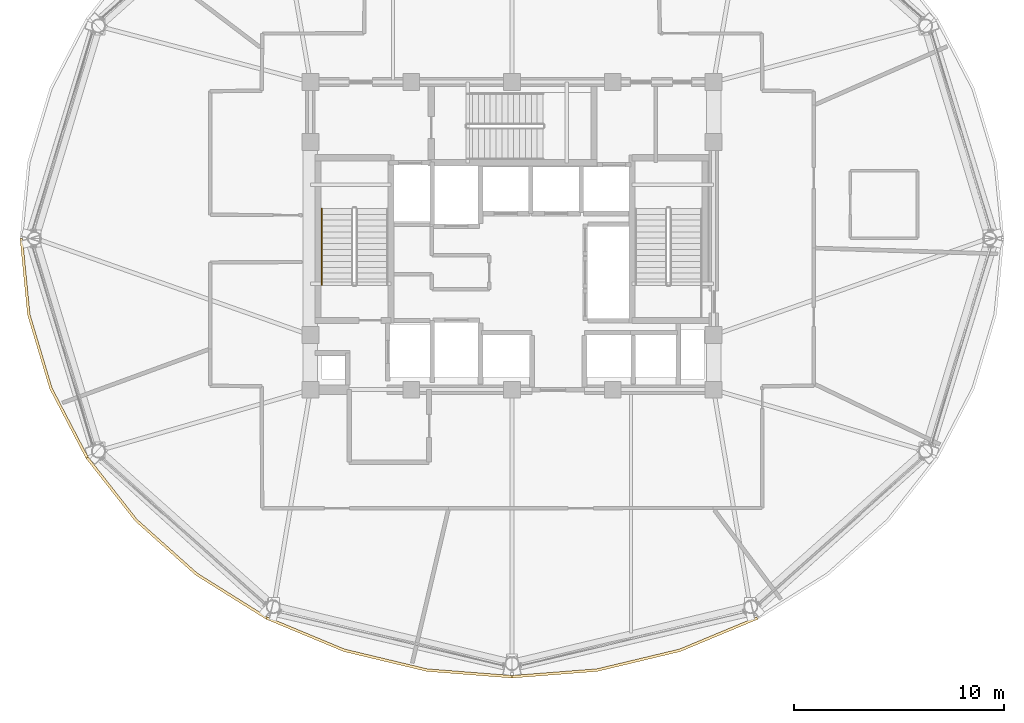
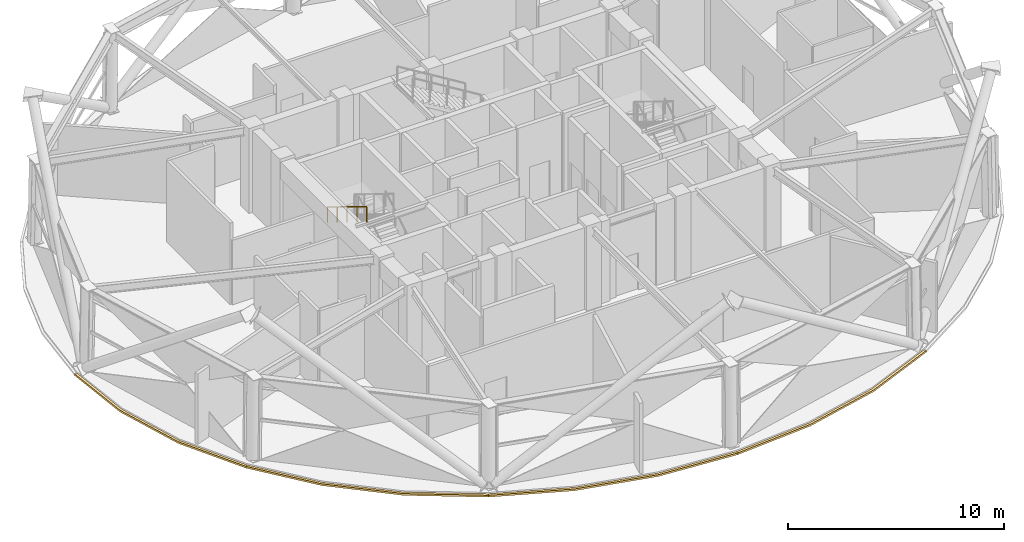
# One storey, part 13 of 16: 4 coverings, 1 railing.
"""IFC4 building model written with IfcOpenShell, lengths in metres."""

import ifcopenshell
import ifcopenshell.guid

model = None  # the IFC model being written
_history = None  # IfcOwnerHistory: only IFC2X3 demands one
_inside = {}  # id of a spatial element -> (the spatial element, [elements in it])
_under = {}  # id of a project, library or spatial element -> (it, [spatial elements below it])
_declared = {}  # id of a project -> (the project, [libraries it declares])
_typed = {}  # id of a type object -> (the type object, [elements of that type])
_made_of = {}  # id of a material, layer set ... -> (it, [elements and type objects made of it])


def new_model(schema):
    """Start an empty IFC model of exactly this schema.

    Asked for "IFC4X3", IfcOpenShell would pick the latest addendum, in which some entities
    have other attributes; the version numbers below select the first issue.
    IFC2X3 requires an IfcOwnerHistory on every rooted entity: one is made here for all.
    """
    global model, _history
    if schema == "IFC4X3":
        model = ifcopenshell.file(schema_version=(4, 3, 0, 0))
    else:
        model = ifcopenshell.file(schema=schema)
    _inside.clear()
    _under.clear()
    _declared.clear()
    _typed.clear()
    _made_of.clear()
    _history = None
    if model.schema == "IFC2X3":
        org = make("IfcOrganization", Name="unknown")
        user = make(
            "IfcPersonAndOrganization",
            ThePerson=make("IfcPerson", FamilyName="unknown"),
            TheOrganization=org,
        )
        app = make(
            "IfcApplication",
            ApplicationDeveloper=org,
            Version="unknown",
            ApplicationFullName="unknown",
            ApplicationIdentifier="unknown",
        )
        _history = make(
            "IfcOwnerHistory",
            OwningUser=user,
            OwningApplication=app,
            ChangeAction="ADDED",
            CreationDate=0,
        )
    return model


def make(cls, **values):
    """One entity of the class cls with the attributes given. An attribute that is None is left unset."""
    return model.create_entity(
        cls, **{name: value for name, value in values.items() if value is not None}
    )


def rooted(cls, **values):
    """An entity with a GlobalId (a new one), such as an element, a storey or a relation."""
    return make(cls, GlobalId=ifcopenshell.guid.new(), OwnerHistory=_history, **values)


def si_unit(unit_type, name, prefix=None):
    """IfcSIUnit, for example si_unit("LENGTHUNIT", "METRE", prefix="MILLI")."""
    return make("IfcSIUnit", UnitType=unit_type, Prefix=prefix, Name=name)


def assignment(units):
    """IfcUnitAssignment: the units of a project."""
    return None if units is None else make("IfcUnitAssignment", Units=units)


def point(xyz):
    """IfcCartesianPoint."""
    return None if xyz is None else make("IfcCartesianPoint", Coordinates=xyz)


def direction(xyz):
    """IfcDirection."""
    return None if xyz is None else make("IfcDirection", DirectionRatios=xyz)


def frame(location, z_axis=None, x_axis=None):
    """IfcAxis2Placement3D, a coordinate frame: its origin and axes. An axis left out is left unset."""
    return make(
        "IfcAxis2Placement3D",
        Location=point(location),
        Axis=direction(z_axis),
        RefDirection=direction(x_axis),
    )


def frame_2d(location, x_axis=None):
    """IfcAxis2Placement2D, a coordinate frame in the plane: its origin and x axis."""
    return make(
        "IfcAxis2Placement2D", Location=point(location), RefDirection=direction(x_axis)
    )


def origin():
    """The frame at (0, 0, 0) with its axes left unset."""
    return frame((0.0, 0.0, 0.0))


def origin_2d():
    """The frame at (0, 0) in the plane with its x axis left unset."""
    return frame_2d((0.0, 0.0))


def place(relative_to, where):
    """IfcLocalPlacement: puts the frame where relative to a parent placement (None: the world)."""
    return make(
        "IfcLocalPlacement", PlacementRelTo=relative_to, RelativePlacement=where
    )


def context(
    kind, dimensions, precision=None, world=None, true_north=None, identifier=None
):
    """IfcGeometricRepresentationContext, for example the 3D "Model" context."""
    return make(
        "IfcGeometricRepresentationContext",
        ContextIdentifier=identifier,
        ContextType=kind,
        CoordinateSpaceDimension=dimensions,
        Precision=precision,
        WorldCoordinateSystem=world,
        TrueNorth=true_north,
    )


def subcontext(parent, identifier, kind, view, scale=None):
    """IfcGeometricRepresentationSubContext, for example "Body" below "Model"."""
    return make(
        "IfcGeometricRepresentationSubContext",
        ContextIdentifier=identifier,
        ContextType=kind,
        ParentContext=parent,
        TargetScale=scale,
        TargetView=view,
    )


def project(units=None, contexts=None):
    """IfcProject with its units and contexts."""
    return rooted(
        "IfcProject",
        Name="project",
        RepresentationContexts=contexts,
        UnitsInContext=assignment(units),
    )


def spatial(cls, under=None, at=None, **own):
    """A site, building, storey or space (cls), placed at a placement, below another one or the project."""
    s = rooted(cls, ObjectPlacement=at, **own)
    if under is not None:
        _under.setdefault(under.id(), (under, []))[1].append(s)
    return s


def polyline(points):
    """IfcPolyline through the points."""
    return make("IfcPolyline", Points=[point(p) for p in points])


def profile(cls, at=None, kind="AREA", **sizes):
    """A parametric profile (cls). Its sizes go by their IFC names, for example OverallWidth=200.0."""
    return make(cls, ProfileType=kind, Position=at, **sizes)


def rectangle(**sizes):
    """IfcRectangleProfileDef."""
    return profile("IfcRectangleProfileDef", **sizes)


def outline(outer, holes=None, kind="AREA"):
    """IfcArbitraryClosedProfileDef: a profile drawn as a closed curve; with holes, ...WithVoids."""
    if holes is None:
        return make("IfcArbitraryClosedProfileDef", ProfileType=kind, OuterCurve=outer)
    return make(
        "IfcArbitraryProfileDefWithVoids",
        ProfileType=kind,
        OuterCurve=outer,
        InnerCurves=holes,
    )


def extrude(swept, where, along, depth):
    """IfcExtrudedAreaSolid: the profile swept, set in the frame where, extruded along a direction by depth."""
    return make(
        "IfcExtrudedAreaSolid",
        SweptArea=swept,
        Position=where,
        ExtrudedDirection=direction(along),
        Depth=depth,
    )


def shape(context_of_items, identifier, shape_type, items):
    """IfcShapeRepresentation: the items that make up one representation, for example the "Body"."""
    return make(
        "IfcShapeRepresentation",
        ContextOfItems=context_of_items,
        RepresentationIdentifier=identifier,
        RepresentationType=shape_type,
        Items=items,
    )


def material(Name=None, Category=None):
    """IfcMaterial."""
    return make("IfcMaterial", Name=Name, Category=Category)


def layer(
    of_material, thickness, ventilated=None, Name=None, Category=None, Priority=None
):
    """IfcMaterialLayer: one layer of a wall or slab, of a material (None: an air gap)."""
    return make(
        "IfcMaterialLayer",
        Material=of_material,
        LayerThickness=thickness,
        IsVentilated=ventilated,
        Name=Name,
        Category=Category,
        Priority=Priority,
    )


def layer_set(layers, Name=None):
    """IfcMaterialLayerSet."""
    return make("IfcMaterialLayerSet", MaterialLayers=layers, LayerSetName=Name)


def made_of(thing, what):
    """Note that an element or type object is made of a material, layer set ...; save() writes the relation."""
    if what is not None:
        _made_of.setdefault(what.id(), (what, []))[1].append(thing)
    return thing


def type_object(cls, material=None, **own):
    """A type object (cls), such as IfcWallType, which elements share."""
    return made_of(rooted(cls, **own), material)


def element(
    cls,
    number,
    at=None,
    inside=None,
    cuts=None,
    type_object=None,
    material=None,
    context=None,
    identifier="Body",
    shape_type=None,
    held_by="IfcProductDefinitionShape",
    body=None,
    shapes=None,
    **own,
):
    """One element of the class cls, such as IfcWall. Its Tag is "e" and its number.

    at: its placement. inside: the storey or other place that contains it. cuts: it is an
    opening in that element (IfcRelVoidsElement). A single representation is given by context,
    identifier, shape_type and body (its items); several are given by shapes. held_by: the class
    of the entity that holds the representations. save() writes the other relations.
    """
    e = rooted(cls, Tag="e%d" % number, ObjectPlacement=at, **own)
    if body is not None:
        shapes = [shape(context, identifier, shape_type, body)]
    if shapes is not None:
        e.Representation = make(held_by, Representations=shapes)
    if inside is not None:
        _inside.setdefault(inside.id(), (inside, []))[1].append(e)
    if cuts is not None:
        rooted(
            "IfcRelVoidsElement", RelatingBuildingElement=cuts, RelatedOpeningElement=e
        )
    if type_object is not None:
        _typed.setdefault(type_object.id(), (type_object, []))[1].append(e)
    return made_of(e, material)


def aggregate(whole, parts):
    """IfcRelAggregates: a whole, such as a stair, and the parts it consists of."""
    return rooted("IfcRelAggregates", RelatingObject=whole, RelatedObjects=parts)


def save(model, path):
    """Write the relations noted so far, then the file.

    IfcRelAggregates (storeys below a building ...), IfcRelContainedInSpatialStructure (elements
    in a storey), IfcRelDefinesByType, IfcRelAssociatesMaterial and IfcRelDeclares: one each for
    every whole, place, type object, material and project.
    """
    for whole, parts in _under.values():
        aggregate(whole, parts)
    for where, things in _inside.values():
        rooted(
            "IfcRelContainedInSpatialStructure",
            RelatedElements=things,
            RelatingStructure=where,
        )
    for kind, things in _typed.values():
        rooted("IfcRelDefinesByType", RelatedObjects=things, RelatingType=kind)
    for what, things in _made_of.values():
        rooted("IfcRelAssociatesMaterial", RelatedObjects=things, RelatingMaterial=what)
    for by, libraries in _declared.values():
        rooted("IfcRelDeclares", RelatingContext=by, RelatedDefinitions=libraries)
    model.write(path)


model = new_model("IFC4")

# Units and contexts
model_context = context("Model", 3, precision=1e-05, world=origin(), true_north=direction((0.0, 1.0)))
body_context = subcontext(model_context, "Body", "Model", "MODEL_VIEW")
ifc_project = project(units=[si_unit("LENGTHUNIT", "METRE"), si_unit("AREAUNIT", "SQUARE_METRE"), si_unit("VOLUMEUNIT", "CUBIC_METRE"), si_unit("PLANEANGLEUNIT", "RADIAN"), si_unit("MASSUNIT", "GRAM", prefix="KILO")], contexts=[model_context])

# Site, building, storey
site_placement = place(None, origin())
site = spatial("IfcSite", under=ifc_project, at=site_placement, CompositionType="ELEMENT")
building_placement = place(site_placement, origin())
building = spatial("IfcBuilding", under=site, at=building_placement, Name="Vantalir Tower", CompositionType="ELEMENT")
storey_placement = place(building_placement, frame((0.0, 0.0, 181.35009765625)))
storey = spatial("IfcBuildingStorey", under=building, at=storey_placement, Name="L45", CompositionType="ELEMENT", Elevation=181.35009765625)

# Coverings
ifc_material_1 = material(Name="Anodised champagne aluminium sill fascia", Category="aluminium")
ifc_layer = layer(ifc_material_1, 0.125)
ifc_layer_set = layer_set([ifc_layer], Name="Anodised champagne aluminium sill fascia")
covering_type = type_object("IfcCoveringType", Name="COV-SLAB-FASCIA-125", PredefinedType="CLADDING", material=ifc_layer_set)
covering_1_placement = place(storey_placement, frame((0.0, 0.0, -0.18017578125)))
element("IfcCovering", 1, at=covering_1_placement, inside=storey, type_object=covering_type, Name="L45 Perimeter Slab-Edge Sill Fascia 07", PredefinedType="CLADDING", context=body_context, shape_type="SweptSolid", body=[
    extrude(outline(polyline([(8.074951171875, 25.0), (8.430908203125, 21.365966796875), (9.488037109375, 17.842041015625), (11.212890625, 14.534912109375), (11.322021484375, 14.597900390625), (9.60498046875, 17.885009765625), (8.553955078125, 21.386962890625), (8.199951171875, 25.0), (8.074951171875, 25.0)])), origin(), (0.0, 0.0, 1.0), 0.10498046875),
])
covering_2_placement = place(storey_placement, frame((0.0, 0.0, -0.18017578125)))
element("IfcCovering", 2, at=covering_2_placement, inside=storey, type_object=covering_type, Name="L45 Perimeter Slab-Edge Sill Fascia 08", PredefinedType="CLADDING", context=body_context, shape_type="SweptSolid", body=[
    extrude(outline(polyline([(11.212890625, 14.534912109375), (13.554931640625, 11.547119140625), (16.443115234375, 8.967041015625), (19.787109375, 6.875), (19.85009765625, 6.98291015625), (16.52294921875, 9.06298828125), (13.65087890625, 11.626953125), (11.322021484375, 14.597900390625), (11.212890625, 14.534912109375)])), origin(), (0.0, 0.0, 1.0), 0.10498046875),
])
covering_3_placement = place(storey_placement, frame((0.0, 0.0, -0.18017578125)))
element("IfcCovering", 3, at=covering_3_placement, inside=storey, type_object=covering_type, Name="L45 Perimeter Slab-Edge Sill Fascia 09", PredefinedType="CLADDING", context=body_context, shape_type="SweptSolid", body=[
    extrude(outline(polyline([(19.787109375, 6.875), (23.488037109375, 5.3330078125), (27.431884765625, 4.388916015625), (31.5, 4.071044921875), (31.5, 4.196044921875), (27.4541015625, 4.511962890625), (23.531005859375, 5.450927734375), (19.85009765625, 6.98291015625), (19.787109375, 6.875)])), origin(), (0.0, 0.0, 1.0), 0.10498046875),
])
covering_4_placement = place(storey_placement, frame((0.0, 0.0, -0.18017578125)))
element("IfcCovering", 4, at=covering_4_placement, inside=storey, type_object=covering_type, Name="L45 Perimeter Slab-Edge Sill Fascia 10", PredefinedType="CLADDING", context=body_context, shape_type="SweptSolid", body=[
    extrude(outline(polyline([(31.5, 4.071044921875), (35.568115234375, 4.388916015625), (39.511962890625, 5.3330078125), (43.212890625, 6.875), (43.14990234375, 6.98291015625), (39.468994140625, 5.450927734375), (35.5458984375, 4.511962890625), (31.5, 4.196044921875), (31.5, 4.071044921875)])), origin(), (0.0, 0.0, 1.0), 0.10498046875),
])

# Railing
ifc_material_2 = material(Name="Brushed stainless steel tubular handrail", Category="steel")
railing_type = type_object("IfcRailingType", Name="RAL-HANDRAIL-900", PredefinedType="HANDRAIL", material=ifc_material_2)
railing_placement = place(storey_placement, frame((22.449951171875, 26.429931640625, 2.5712890625)))
element("IfcRailing", 5, at=railing_placement, inside=storey, type_object=railing_type, Name="L45 ST1 stair handrail 2", PredefinedType="HANDRAIL", context=body_context, shape_type="SweptSolid", body=[
    extrude(rectangle(XDim=0.048095703125, YDim=0.048095703125, at=origin_2d()), frame((0.0, 0.0, 0.8759765625), z_axis=(0.0, -0.852850264322, 0.5221555579), x_axis=(1.0, 0.0, 0.0)), (0.0, 0.0, 1.0), 4.267822265625),
    extrude(rectangle(XDim=0.0419921875, YDim=0.0419921875, at=origin_2d()), origin(), (0.0, 0.0, 1.0), 0.851806640625),
    extrude(rectangle(XDim=0.0419921875, YDim=0.0419921875, at=origin_2d()), frame((0.0, -0.909912109375, 0.55712890625)), (0.0, 0.0, 1.0), 0.851806640625),
    extrude(rectangle(XDim=0.0419921875, YDim=0.0419921875, at=origin_2d()), frame((0.0, -1.81982421875, 1.1142578125)), (0.0, 0.0, 1.0), 0.851806640625),
    extrude(rectangle(XDim=0.0419921875, YDim=0.0419921875, at=origin_2d()), frame((0.0, -2.72998046875, 1.67138671875)), (0.0, 0.0, 1.0), 0.851806640625),
    extrude(rectangle(XDim=0.0419921875, YDim=0.0419921875, at=origin_2d()), frame((0.0, -3.639892578125, 2.228515625)), (0.0, 0.0, 1.0), 0.851806640625),
])

save(model, "model.ifc")
